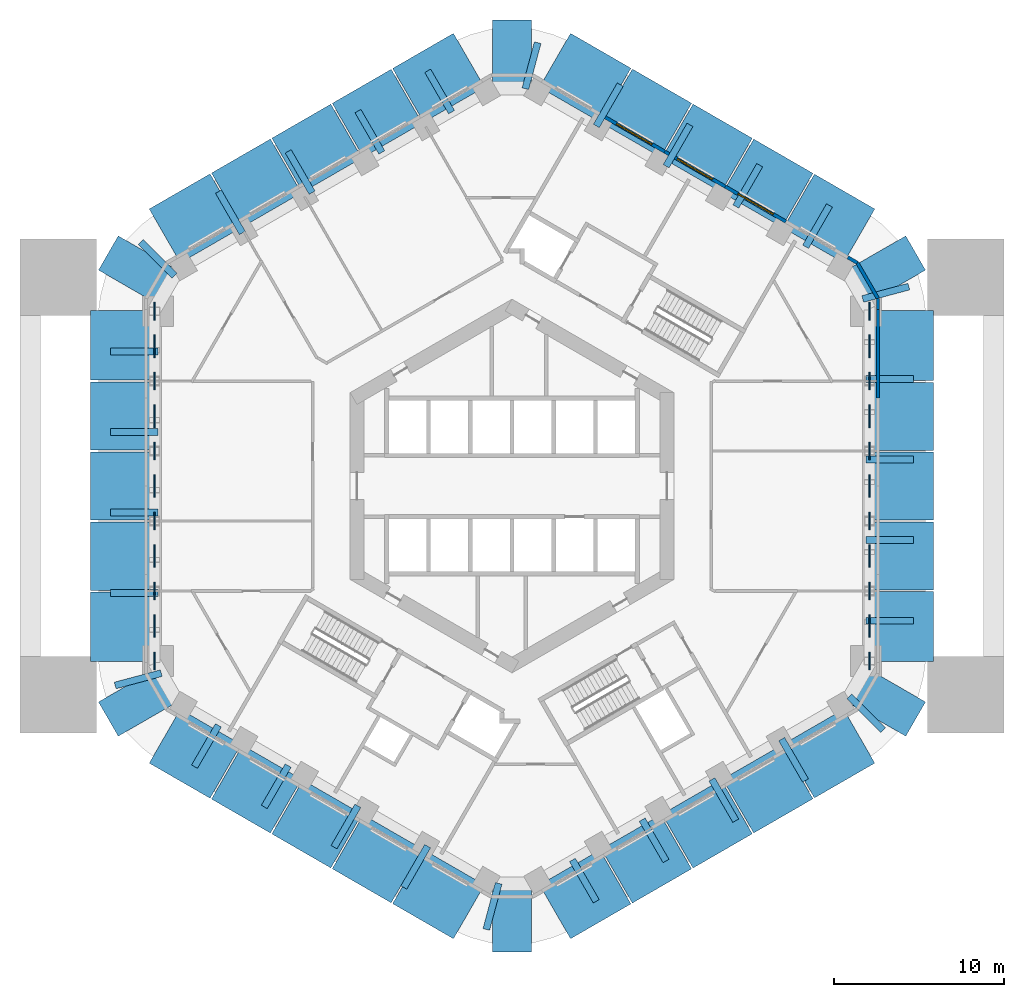
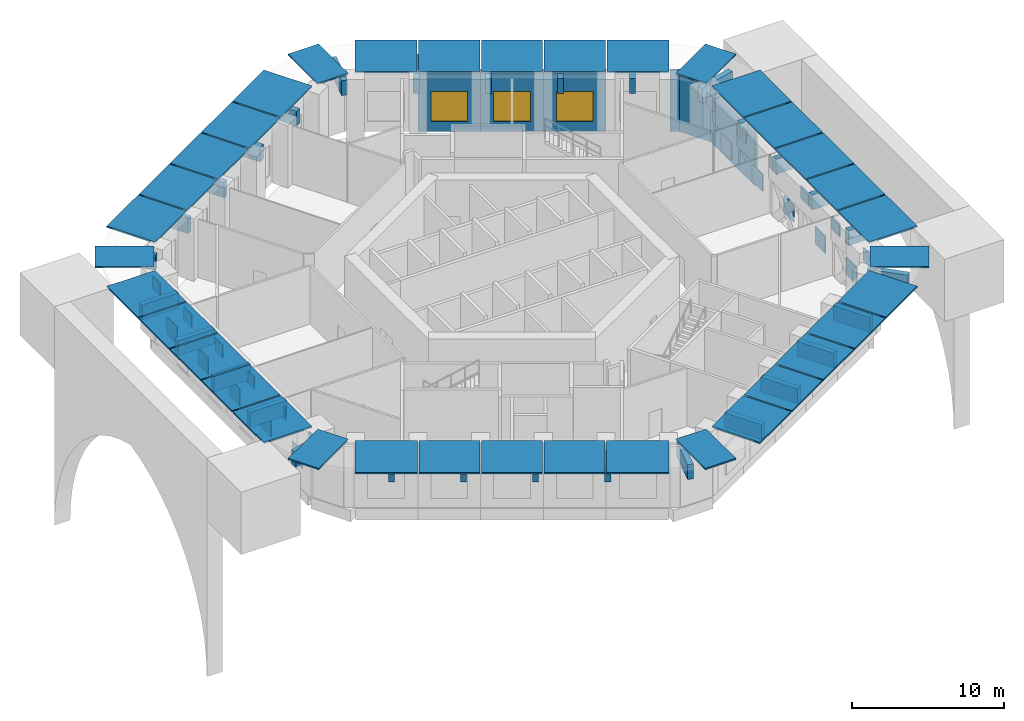
# One storey, part 6 of 10: 88 discrete accessories, 7 walls, 3 windows, 3 openings.
"""IFC4 building model written with IfcOpenShell, lengths in metres."""

import ifcopenshell
import ifcopenshell.guid

model = None  # the IFC model being written
_history = None  # IfcOwnerHistory: only IFC2X3 demands one
_inside = {}  # id of a spatial element -> (the spatial element, [elements in it])
_under = {}  # id of a project, library or spatial element -> (it, [spatial elements below it])
_declared = {}  # id of a project -> (the project, [libraries it declares])
_typed = {}  # id of a type object -> (the type object, [elements of that type])
_made_of = {}  # id of a material, layer set ... -> (it, [elements and type objects made of it])


def new_model(schema):
    """Start an empty IFC model of exactly this schema.

    Asked for "IFC4X3", IfcOpenShell would pick the latest addendum, in which some entities
    have other attributes; the version numbers below select the first issue.
    IFC2X3 requires an IfcOwnerHistory on every rooted entity: one is made here for all.
    """
    global model, _history
    if schema == "IFC4X3":
        model = ifcopenshell.file(schema_version=(4, 3, 0, 0))
    else:
        model = ifcopenshell.file(schema=schema)
    _inside.clear()
    _under.clear()
    _declared.clear()
    _typed.clear()
    _made_of.clear()
    _history = None
    if model.schema == "IFC2X3":
        org = make("IfcOrganization", Name="unknown")
        user = make(
            "IfcPersonAndOrganization",
            ThePerson=make("IfcPerson", FamilyName="unknown"),
            TheOrganization=org,
        )
        app = make(
            "IfcApplication",
            ApplicationDeveloper=org,
            Version="unknown",
            ApplicationFullName="unknown",
            ApplicationIdentifier="unknown",
        )
        _history = make(
            "IfcOwnerHistory",
            OwningUser=user,
            OwningApplication=app,
            ChangeAction="ADDED",
            CreationDate=0,
        )
    return model


def make(cls, **values):
    """One entity of the class cls with the attributes given. An attribute that is None is left unset."""
    return model.create_entity(
        cls, **{name: value for name, value in values.items() if value is not None}
    )


def rooted(cls, **values):
    """An entity with a GlobalId (a new one), such as an element, a storey or a relation."""
    return make(cls, GlobalId=ifcopenshell.guid.new(), OwnerHistory=_history, **values)


def si_unit(unit_type, name, prefix=None):
    """IfcSIUnit, for example si_unit("LENGTHUNIT", "METRE", prefix="MILLI")."""
    return make("IfcSIUnit", UnitType=unit_type, Prefix=prefix, Name=name)


def assignment(units):
    """IfcUnitAssignment: the units of a project."""
    return None if units is None else make("IfcUnitAssignment", Units=units)


def point(xyz):
    """IfcCartesianPoint."""
    return None if xyz is None else make("IfcCartesianPoint", Coordinates=xyz)


def direction(xyz):
    """IfcDirection."""
    return None if xyz is None else make("IfcDirection", DirectionRatios=xyz)


def frame(location, z_axis=None, x_axis=None):
    """IfcAxis2Placement3D, a coordinate frame: its origin and axes. An axis left out is left unset."""
    return make(
        "IfcAxis2Placement3D",
        Location=point(location),
        Axis=direction(z_axis),
        RefDirection=direction(x_axis),
    )


def frame_2d(location, x_axis=None):
    """IfcAxis2Placement2D, a coordinate frame in the plane: its origin and x axis."""
    return make(
        "IfcAxis2Placement2D", Location=point(location), RefDirection=direction(x_axis)
    )


def origin():
    """The frame at (0, 0, 0) with its axes left unset."""
    return frame((0.0, 0.0, 0.0))


def origin_2d():
    """The frame at (0, 0) in the plane with its x axis left unset."""
    return frame_2d((0.0, 0.0))


def place(relative_to, where):
    """IfcLocalPlacement: puts the frame where relative to a parent placement (None: the world)."""
    return make(
        "IfcLocalPlacement", PlacementRelTo=relative_to, RelativePlacement=where
    )


def context(
    kind, dimensions, precision=None, world=None, true_north=None, identifier=None
):
    """IfcGeometricRepresentationContext, for example the 3D "Model" context."""
    return make(
        "IfcGeometricRepresentationContext",
        ContextIdentifier=identifier,
        ContextType=kind,
        CoordinateSpaceDimension=dimensions,
        Precision=precision,
        WorldCoordinateSystem=world,
        TrueNorth=true_north,
    )


def subcontext(parent, identifier, kind, view, scale=None):
    """IfcGeometricRepresentationSubContext, for example "Body" below "Model"."""
    return make(
        "IfcGeometricRepresentationSubContext",
        ContextIdentifier=identifier,
        ContextType=kind,
        ParentContext=parent,
        TargetScale=scale,
        TargetView=view,
    )


def project(units=None, contexts=None):
    """IfcProject with its units and contexts."""
    return rooted(
        "IfcProject",
        Name="project",
        RepresentationContexts=contexts,
        UnitsInContext=assignment(units),
    )


def spatial(cls, under=None, at=None, **own):
    """A site, building, storey or space (cls), placed at a placement, below another one or the project."""
    s = rooted(cls, ObjectPlacement=at, **own)
    if under is not None:
        _under.setdefault(under.id(), (under, []))[1].append(s)
    return s


def profile(cls, at=None, kind="AREA", **sizes):
    """A parametric profile (cls). Its sizes go by their IFC names, for example OverallWidth=200.0."""
    return make(cls, ProfileType=kind, Position=at, **sizes)


def rectangle(**sizes):
    """IfcRectangleProfileDef."""
    return profile("IfcRectangleProfileDef", **sizes)


def extrude(swept, where, along, depth):
    """IfcExtrudedAreaSolid: the profile swept, set in the frame where, extruded along a direction by depth."""
    return make(
        "IfcExtrudedAreaSolid",
        SweptArea=swept,
        Position=where,
        ExtrudedDirection=direction(along),
        Depth=depth,
    )


def shape(context_of_items, identifier, shape_type, items):
    """IfcShapeRepresentation: the items that make up one representation, for example the "Body"."""
    return make(
        "IfcShapeRepresentation",
        ContextOfItems=context_of_items,
        RepresentationIdentifier=identifier,
        RepresentationType=shape_type,
        Items=items,
    )


def material(Name=None, Category=None):
    """IfcMaterial."""
    return make("IfcMaterial", Name=Name, Category=Category)


def layer(
    of_material, thickness, ventilated=None, Name=None, Category=None, Priority=None
):
    """IfcMaterialLayer: one layer of a wall or slab, of a material (None: an air gap)."""
    return make(
        "IfcMaterialLayer",
        Material=of_material,
        LayerThickness=thickness,
        IsVentilated=ventilated,
        Name=Name,
        Category=Category,
        Priority=Priority,
    )


def layer_set(layers, Name=None):
    """IfcMaterialLayerSet."""
    return make("IfcMaterialLayerSet", MaterialLayers=layers, LayerSetName=Name)


def made_of(thing, what):
    """Note that an element or type object is made of a material, layer set ...; save() writes the relation."""
    if what is not None:
        _made_of.setdefault(what.id(), (what, []))[1].append(thing)
    return thing


def type_object(cls, material=None, **own):
    """A type object (cls), such as IfcWallType, which elements share."""
    return made_of(rooted(cls, **own), material)


def element(
    cls,
    number,
    at=None,
    inside=None,
    cuts=None,
    type_object=None,
    material=None,
    context=None,
    identifier="Body",
    shape_type=None,
    held_by="IfcProductDefinitionShape",
    body=None,
    shapes=None,
    **own,
):
    """One element of the class cls, such as IfcWall. Its Tag is "e" and its number.

    at: its placement. inside: the storey or other place that contains it. cuts: it is an
    opening in that element (IfcRelVoidsElement). A single representation is given by context,
    identifier, shape_type and body (its items); several are given by shapes. held_by: the class
    of the entity that holds the representations. save() writes the other relations.
    """
    e = rooted(cls, Tag="e%d" % number, ObjectPlacement=at, **own)
    if body is not None:
        shapes = [shape(context, identifier, shape_type, body)]
    if shapes is not None:
        e.Representation = make(held_by, Representations=shapes)
    if inside is not None:
        _inside.setdefault(inside.id(), (inside, []))[1].append(e)
    if cuts is not None:
        rooted(
            "IfcRelVoidsElement", RelatingBuildingElement=cuts, RelatedOpeningElement=e
        )
    if type_object is not None:
        _typed.setdefault(type_object.id(), (type_object, []))[1].append(e)
    return made_of(e, material)


def fill(opening, filler):
    """IfcRelFillsElement: the door or window that sits in an opening."""
    return rooted(
        "IfcRelFillsElement",
        RelatingOpeningElement=opening,
        RelatedBuildingElement=filler,
    )


def aggregate(whole, parts):
    """IfcRelAggregates: a whole, such as a stair, and the parts it consists of."""
    return rooted("IfcRelAggregates", RelatingObject=whole, RelatedObjects=parts)


def save(model, path):
    """Write the relations noted so far, then the file.

    IfcRelAggregates (storeys below a building ...), IfcRelContainedInSpatialStructure (elements
    in a storey), IfcRelDefinesByType, IfcRelAssociatesMaterial and IfcRelDeclares: one each for
    every whole, place, type object, material and project.
    """
    for whole, parts in _under.values():
        aggregate(whole, parts)
    for where, things in _inside.values():
        rooted(
            "IfcRelContainedInSpatialStructure",
            RelatedElements=things,
            RelatingStructure=where,
        )
    for kind, things in _typed.values():
        rooted("IfcRelDefinesByType", RelatedObjects=things, RelatingType=kind)
    for what, things in _made_of.values():
        rooted("IfcRelAssociatesMaterial", RelatedObjects=things, RelatingMaterial=what)
    for by, libraries in _declared.values():
        rooted("IfcRelDeclares", RelatingContext=by, RelatedDefinitions=libraries)
    model.write(path)


model = new_model("IFC4")

# Units and contexts
model_context = context("Model", 3, precision=1e-05, world=origin(), true_north=direction((0.0, 1.0)))
body_context = subcontext(model_context, "Body", "Model", "MODEL_VIEW")
ifc_project = project(units=[si_unit("LENGTHUNIT", "METRE"), si_unit("AREAUNIT", "SQUARE_METRE"), si_unit("VOLUMEUNIT", "CUBIC_METRE"), si_unit("PLANEANGLEUNIT", "RADIAN"), si_unit("MASSUNIT", "GRAM", prefix="KILO")], contexts=[model_context])

# Site, building, storey
site_placement = place(None, origin())
site = spatial("IfcSite", under=ifc_project, at=site_placement, CompositionType="ELEMENT")
building_placement = place(site_placement, origin())
building = spatial("IfcBuilding", under=site, at=building_placement, Name="Ayvan Gate Tower", CompositionType="ELEMENT")
storey_placement = place(building_placement, frame((0.0, 0.0, 20.5)))
storey = spatial("IfcBuildingStorey", under=building, at=storey_placement, Name="L04", CompositionType="ELEMENT", Elevation=20.5)

# Walls
ifc_material_1 = material(Name="Pale metal cladding on insulated wall")
ifc_layer_1 = layer(ifc_material_1, 0.199951171875)
ifc_layer_set_1 = layer_set([ifc_layer_1], Name="Pale metal cladding on insulated wall")
wall_type = type_object("IfcWallType", Name="Louvred plant wall 200", PredefinedType="SOLIDWALL", material=ifc_layer_set_1)
wall_1_placement = place(storey_placement, frame((21.484619140625, 5.179931640625, 0.0), z_axis=(0.0, 0.0, 1.0), x_axis=(0.0, 1.0, 0.0)))
element("IfcWall", 1, at=wall_1_placement, inside=storey, type_object=wall_type, Name="EW:L04:F08:3", PredefinedType="SOLIDWALL", context=body_context, shape_type="SweptSolid", body=[
    extrude(rectangle(XDim=5.18017578125, YDim=0.199951171875, at=frame_2d((2.590087890625, 0.0))), origin(), (0.0, 0.0, 1.0), 4.8798828125),
])
wall_2_placement = place(storey_placement, frame((21.484619140625, 10.360107421875, 0.0), z_axis=(0.0, 0.0, 1.0), x_axis=(0.0, 1.0, 0.0)))
element("IfcWall", 2, at=wall_2_placement, inside=storey, type_object=wall_type, Name="EW:L04:C09:0", PredefinedType="SOLIDWALL", context=body_context, shape_type="SweptSolid", body=[
    extrude(rectangle(XDim=0.64990234375, YDim=0.199951171875, at=frame_2d((0.324951171875, 0.0))), origin(), (0.0, 0.0, 1.0), 4.8798828125),
])
wall_3_placement = place(storey_placement, frame((21.484619140625, 11.010009765625, 0.0), z_axis=(0.0, 0.0, 1.0), x_axis=(-0.499999616612, 0.866025625133, 0.0)))
element("IfcWall", 3, at=wall_3_placement, inside=storey, type_object=wall_type, Name="EW:L04:C09:1", PredefinedType="SOLIDWALL", context=body_context, shape_type="SweptSolid", body=[
    extrude(rectangle(XDim=2.41455078125, YDim=0.199951171875, at=frame_2d((1.207275390625, 0.0))), origin(), (0.0, 0.0, 1.0), 4.8798828125),
])
wall_4_placement = place(storey_placement, frame((20.27734375, 13.10107421875, 0.0), z_axis=(0.0, 0.0, 1.0), x_axis=(-0.865922902183, 0.50017749597, 0.0)))
element("IfcWall", 4, at=wall_4_placement, inside=storey, type_object=wall_type, Name="EW:L04:C09:2", PredefinedType="SOLIDWALL", context=body_context, shape_type="SweptSolid", body=[
    extrude(rectangle(XDim=0.650146484375, YDim=0.199951171875, at=frame_2d((0.3251953125, 0.0))), origin(), (0.0, 0.0, 1.0), 4.8798828125),
])

# Wall, opening, window
wall_5_placement = place(storey_placement, frame((16.077880859375, 15.525634765625, 0.0), z_axis=(0.0, 0.0, 1.0), x_axis=(-0.866029215606, 0.499993397673, 0.0)))
wall_5 = element("IfcWall", 5, at=wall_5_placement, inside=storey, type_object=wall_type, Name="EW:L04:F10:1", PredefinedType="SOLIDWALL", context=body_context, shape_type="SweptSolid", body=[
    extrude(rectangle(XDim=4.10791015625, YDim=0.199951171875, at=frame_2d((2.053955078125, 0.0))), origin(), (0.0, 0.0, 1.0), 4.8798828125),
])
opening_1_placement = place(wall_5_placement, frame((0.85400390625, 0.0, 0.800048828125)))
opening_1 = element("IfcOpeningElement", 6, at=opening_1_placement, cuts=wall_5, Name="Opening W-L", PredefinedType="OPENING", context=body_context, shape_type="SweptSolid", body=[
    extrude(rectangle(XDim=2.39990234375, YDim=2.39990234375, at=frame_2d((1.199951171875, 1.199951171875))), frame((0.0, 0.10986328125, 0.0), z_axis=(0.0, -1.0, 0.0), x_axis=(1.0, 0.0, 0.0)), (0.0, 0.0, 1.0), 0.219970703125),
])
ifc_material_2 = material(Name="Anodised aluminium louvre", Category="aluminium")
window_type = type_object("IfcWindowType", Name="Louvre intake W-L", PartitioningType="DOUBLE_PANEL_VERTICAL", PredefinedType="WINDOW", material=ifc_material_2)
window_1_placement = place(opening_1_placement, origin())
window_1 = element("IfcWindow", 7, at=window_1_placement, inside=storey, type_object=window_type, Name="Louvre intake L04.10.1", OverallHeight=2.39990234375, OverallWidth=2.39990234375, PartitioningType="SINGLE_PANEL", PredefinedType="WINDOW", context=body_context, shape_type="SweptSolid", body=[
    extrude(rectangle(XDim=2.39990234375, YDim=2.39990234375, at=frame_2d((1.199951171875, 1.199951171875))), frame((0.0, 0.030029296875, 0.0), z_axis=(0.0, -1.0, 0.0), x_axis=(1.0, 0.0, 0.0)), (0.0, 0.0, 1.0), 0.06005859375),
])
fill(opening_1, window_1)

wall_6_placement = place(storey_placement, frame((12.520263671875, 17.57958984375, 0.0), z_axis=(0.0, 0.0, 1.0), x_axis=(-0.866021252249, 0.500007190601, 0.0)))
wall_6 = element("IfcWall", 8, at=wall_6_placement, inside=storey, type_object=wall_type, Name="EW:L04:F10:2", PredefinedType="SOLIDWALL", context=body_context, shape_type="SweptSolid", body=[
    extrude(rectangle(XDim=4.10693359375, YDim=0.199951171875, at=frame_2d((2.053466796875, 0.0))), origin(), (0.0, 0.0, 1.0), 4.8798828125),
])
opening_2_placement = place(wall_6_placement, frame((0.853515625, 0.0, 0.800048828125)))
opening_2 = element("IfcOpeningElement", 9, at=opening_2_placement, cuts=wall_6, Name="Opening W-L", PredefinedType="OPENING", context=body_context, shape_type="SweptSolid", body=[
    extrude(rectangle(XDim=2.39990234375, YDim=2.39990234375, at=frame_2d((1.199951171875, 1.199951171875))), frame((0.0, 0.10986328125, 0.0), z_axis=(0.0, -1.0, 0.0), x_axis=(1.0, 0.0, 0.0)), (0.0, 0.0, 1.0), 0.219970703125),
])
window_2_placement = place(opening_2_placement, origin())
window_2 = element("IfcWindow", 10, at=window_2_placement, inside=storey, type_object=window_type, Name="Louvre intake L04.10.2", OverallHeight=2.39990234375, OverallWidth=2.39990234375, PartitioningType="SINGLE_PANEL", PredefinedType="WINDOW", context=body_context, shape_type="SweptSolid", body=[
    extrude(rectangle(XDim=2.39990234375, YDim=2.39990234375, at=frame_2d((1.199951171875, 1.199951171875))), frame((0.0, 0.030029296875, 0.0), z_axis=(0.0, -1.0, 0.0), x_axis=(1.0, 0.0, 0.0)), (0.0, 0.0, 1.0), 0.06005859375),
])
fill(opening_2, window_2)

wall_7_placement = place(storey_placement, frame((8.963623046875, 19.633056640625, 0.0), z_axis=(0.0, 0.0, 1.0), x_axis=(-0.866010373586, 0.500026032164, 0.0)))
wall_7 = element("IfcWall", 11, at=wall_7_placement, inside=storey, type_object=wall_type, Name="EW:L04:F10:3", PredefinedType="SOLIDWALL", context=body_context, shape_type="SweptSolid", body=[
    extrude(rectangle(XDim=4.107177734375, YDim=0.199951171875, at=frame_2d((2.0537109375, 0.0))), origin(), (0.0, 0.0, 1.0), 4.8798828125),
])
opening_3_placement = place(wall_7_placement, frame((0.853515625, 0.0, 0.800048828125)))
opening_3 = element("IfcOpeningElement", 12, at=opening_3_placement, cuts=wall_7, Name="Opening W-L", PredefinedType="OPENING", context=body_context, shape_type="SweptSolid", body=[
    extrude(rectangle(XDim=2.39990234375, YDim=2.39990234375, at=frame_2d((1.199951171875, 1.199951171875))), frame((0.0, 0.10986328125, 0.0), z_axis=(0.0, -1.0, 0.0), x_axis=(1.0, 0.0, 0.0)), (0.0, 0.0, 1.0), 0.219970703125),
])
window_3_placement = place(opening_3_placement, origin())
window_3 = element("IfcWindow", 13, at=window_3_placement, inside=storey, type_object=window_type, Name="Louvre intake L04.10.3", OverallHeight=2.39990234375, OverallWidth=2.39990234375, PartitioningType="SINGLE_PANEL", PredefinedType="WINDOW", context=body_context, shape_type="SweptSolid", body=[
    extrude(rectangle(XDim=2.39990234375, YDim=2.39990234375, at=frame_2d((1.199951171875, 1.199951171875))), frame((0.0, 0.030029296875, 0.0), z_axis=(0.0, -1.0, 0.0), x_axis=(1.0, 0.0, 0.0)), (0.0, 0.0, 1.0), 0.06005859375),
])
fill(opening_3, window_3)

# Discrete accessories
ifc_material_3 = material(Name="Stainless steel 316", Category="steel")
ifc_layer_2 = layer(ifc_material_3, 0.39990234375)
ifc_layer_set_2 = layer_set([ifc_layer_2], Name="Stainless steel 316")
discrete_accessory_type_1 = type_object("IfcDiscreteAccessoryType", Name="Cornice bracket", PredefinedType="BRACKET", material=ifc_layer_set_2)
for number, where, z_axis, x_axis, name in (
    (14, (21.945068359375, 11.3466796875, 3.4501953125), (0.0, 0.0, 1.0), (0.965925826289, 0.258819045103, 0.0), "Cornice bracket 1"),
    (15, (22.1845703125, 6.28125, 3.4501953125), (0.0, 0.0, 1.0), (1.0, 0.0, 0.0), "Cornice bracket 2"),
    (16, (22.1845703125, 1.552978515625, 3.4501953125), (0.0, 0.0, 1.0), (1.0, 0.0, 0.0), "Cornice bracket 3"),
    (17, (22.1845703125, -3.175537109375, 3.4501953125), (0.0, 0.0, 1.0), (1.0, 0.0, 0.0), "Cornice bracket 4"),
    (18, (22.1845703125, -7.90380859375, 3.4501953125), (0.0, 0.0, 1.0), (1.0, 0.0, 0.0), "Cornice bracket 5"),
    (19, (20.799072265625, -13.33154296875, 3.4501953125), (0.0, 0.0, 1.0), (0.707106781187, -0.707106781187, 0.0), "Cornice bracket 6"),
    (20, (16.531982421875, -16.07177734375, 3.4501953125), (0.0, 0.0, 1.0), (0.5, -0.866025403784, 0.0), "Cornice bracket 7"),
    (21, (12.437255859375, -18.43603515625, 3.4501953125), (0.0, 0.0, 1.0), (0.5, -0.866025403784, 0.0), "Cornice bracket 8"),
    (22, (8.34228515625, -20.800048828125, 3.4501953125), (0.0, 0.0, 1.0), (0.5, -0.866025403784, 0.0), "Cornice bracket 9"),
    (23, (4.247314453125, -23.164306640625, 3.4501953125), (0.0, 0.0, 1.0), (0.5, -0.866025403784, 0.0), "Cornice bracket 10"),
    (24, (-1.14599609375, -24.67822265625, 3.4501953125), (0.0, 0.0, 1.0), (-0.258819045103, -0.965925826289, 0.0), "Cornice bracket 11"),
    (25, (-5.652587890625, -22.35302734375, 3.4501953125), (0.0, 0.0, 1.0), (-0.5, -0.866025403784, 0.0), "Cornice bracket 12"),
    (26, (-9.74755859375, -19.989013671875, 3.4501953125), (0.0, 0.0, 1.0), (-0.5, -0.866025403784, 0.0), "Cornice bracket 13"),
    (27, (-13.84228515625, -17.624755859375, 3.4501953125), (0.0, 0.0, 1.0), (-0.5, -0.866025403784, 0.0), "Cornice bracket 14"),
    (28, (-17.937255859375, -15.260498046875, 3.4501953125), (0.0, 0.0, 1.0), (-0.5, -0.866025403784, 0.0), "Cornice bracket 15"),
    (29, (-21.945068359375, -11.3466796875, 3.4501953125), (0.0, 0.0, 1.0), (-0.965925826289, -0.258819045103, 0.0), "Cornice bracket 16"),
    (30, (-22.1845703125, -6.28125, 3.4501953125), (0.0, 0.0, 1.0), (-1.0, 0.0, 0.0), "Cornice bracket 17"),
    (31, (-22.1845703125, -1.552978515625, 3.4501953125), (0.0, 0.0, 1.0), (-1.0, 0.0, 0.0), "Cornice bracket 18"),
    (32, (-22.1845703125, 3.175537109375, 3.4501953125), (0.0, 0.0, 1.0), (-1.0, 0.0, 0.0), "Cornice bracket 19"),
    (33, (-22.1845703125, 7.90380859375, 3.4501953125), (0.0, 0.0, 1.0), (-1.0, 0.0, 0.0), "Cornice bracket 20"),
    (34, (-20.799072265625, 13.33154296875, 3.4501953125), (0.0, 0.0, 1.0), (-0.707106781187, 0.707106781187, 0.0), "Cornice bracket 21"),
    (35, (-16.531982421875, 16.07177734375, 3.4501953125), (0.0, 0.0, 1.0), (-0.5, 0.866025403784, 0.0), "Cornice bracket 22"),
    (36, (-12.437255859375, 18.43603515625, 3.4501953125), (0.0, 0.0, 1.0), (-0.5, 0.866025403784, 0.0), "Cornice bracket 23"),
    (37, (-8.34228515625, 20.800048828125, 3.4501953125), (0.0, 0.0, 1.0), (-0.5, 0.866025403784, 0.0), "Cornice bracket 24"),
    (38, (-4.247314453125, 23.164306640625, 3.4501953125), (0.0, 0.0, 1.0), (-0.5, 0.866025403784, 0.0), "Cornice bracket 25"),
    (39, (1.14599609375, 24.67822265625, 3.4501953125), (0.0, 0.0, 1.0), (0.258819045103, 0.965925826289, 0.0), "Cornice bracket 26"),
    (40, (5.652587890625, 22.35302734375, 3.4501953125), (0.0, 0.0, 1.0), (0.5, 0.866025403784, 0.0), "Cornice bracket 27"),
    (41, (9.74755859375, 19.989013671875, 3.4501953125), (0.0, 0.0, 1.0), (0.5, 0.866025403784, 0.0), "Cornice bracket 28"),
    (42, (13.84228515625, 17.624755859375, 3.4501953125), (0.0, 0.0, 1.0), (0.5, 0.866025403784, 0.0), "Cornice bracket 29"),
    (43, (17.937255859375, 15.260498046875, 3.4501953125), (0.0, 0.0, 1.0), (0.5, 0.866025403784, 0.0), "Cornice bracket 30"),
):
    element("IfcDiscreteAccessory", number, at=place(storey_placement, frame(where, z_axis=z_axis, x_axis=x_axis)), inside=storey, type_object=discrete_accessory_type_1, Name=name, PredefinedType="BRACKET", context=body_context, shape_type="SweptSolid", body=[
        extrude(rectangle(XDim=2.800048828125, YDim=0.39990234375, at=origin_2d()), origin(), (0.0, 0.0, 1.0), 1.199951171875),
    ])
ifc_layer_3 = layer(ifc_material_3, 0.1201171875)
ifc_layer_set_3 = layer_set([ifc_layer_3], Name="Stainless steel 316")
discrete_accessory_type_2 = type_object("IfcDiscreteAccessoryType", Name="Fin carrier bracket", PredefinedType="BRACKET", material=ifc_layer_set_3)
discrete_accessory_1_placement = place(storey_placement, frame((-22.90966796875, -8.265380859375, 4.8798828125), z_axis=(0.0, 0.0, 1.0), x_axis=(0.0, -1.0, 0.0)))
element("IfcDiscreteAccessory", 44, at=discrete_accessory_1_placement, inside=storey, type_object=discrete_accessory_type_2, Name="Fin carrier 1", PredefinedType="BRACKET", context=body_context, shape_type="SweptSolid", body=[
    extrude(rectangle(XDim=4.089111328125, YDim=3.64990234375, at=origin_2d()), origin(), (0.0, 0.0, 1.0), 0.1201171875),
])
for number, where, z_axis, x_axis, name in (
    (45, (-22.90966796875, -4.114013671875, 4.8798828125), (0.0, 0.0, 1.0), (0.0, -1.0, 0.0), "Fin carrier 3"),
    (46, (-22.90966796875, 0.0, 4.8798828125), (0.0, 0.0, 1.0), (0.0, -1.0, 0.0), "Fin carrier 5"),
    (47, (-22.90966796875, 4.114013671875, 4.8798828125), (0.0, 0.0, 1.0), (0.0, -1.0, 0.0), "Fin carrier 7"),
):
    element("IfcDiscreteAccessory", number, at=place(storey_placement, frame(where, z_axis=z_axis, x_axis=x_axis)), inside=storey, type_object=discrete_accessory_type_2, Name=name, PredefinedType="BRACKET", context=body_context, shape_type="SweptSolid", body=[
        extrude(rectangle(XDim=4.013916015625, YDim=3.64990234375, at=origin_2d()), origin(), (0.0, 0.0, 1.0), 0.1201171875),
    ])
discrete_accessory_2_placement = place(storey_placement, frame((-22.90966796875, 8.265625, 4.8798828125), z_axis=(0.0, 0.0, 1.0), x_axis=(0.0, -1.0, 0.0)))
element("IfcDiscreteAccessory", 48, at=discrete_accessory_2_placement, inside=storey, type_object=discrete_accessory_type_2, Name="Fin carrier 9", PredefinedType="BRACKET", context=body_context, shape_type="SweptSolid", body=[
    extrude(rectangle(XDim=4.089111328125, YDim=3.64990234375, at=origin_2d()), origin(), (0.0, 0.0, 1.0), 0.1201171875),
])
for number, where, z_axis, x_axis, name in (
    (49, (-22.014892578125, -12.71044921875, 4.8798828125), (0.0, 0.0, 1.0), (0.5, -0.866025403784, 0.0), "Fin carrier 11"),
    (50, (-22.014892578125, 12.71044921875, 4.8798828125), (0.0, 0.0, 1.0), (-0.5, -0.866025403784, 0.0), "Fin carrier 32"),
):
    element("IfcDiscreteAccessory", number, at=place(storey_placement, frame(where, z_axis=z_axis, x_axis=x_axis)), inside=storey, type_object=discrete_accessory_type_2, Name=name, PredefinedType="BRACKET", context=body_context, shape_type="SweptSolid", body=[
        extrude(rectangle(XDim=2.314453125, YDim=3.881103515625, at=origin_2d()), origin(), (0.0, 0.0, 1.0), 0.1201171875),
    ])
for number, where, z_axis, x_axis, name in (
    (51, (-18.599609375, -15.71533203125, 4.8798828125), (0.0, 0.0, 1.0), (0.866025403784, -0.5, 0.0), "Fin carrier 124"),
    (52, (-18.599609375, 15.71533203125, 4.8798828125), (0.0, 0.0, 1.0), (-0.866025403784, -0.5, 0.0), "Fin carrier 131"),
):
    element("IfcDiscreteAccessory", number, at=place(storey_placement, frame(where, z_axis=z_axis, x_axis=x_axis)), inside=storey, type_object=discrete_accessory_type_2, Name=name, PredefinedType="BRACKET", context=body_context, shape_type="SweptSolid", body=[
        extrude(rectangle(XDim=4.1201171875, YDim=3.64990234375, at=origin_2d()), origin(), (0.0, 0.0, 1.0), 0.1201171875),
    ])
for number, where, z_axis, x_axis, name in (
    (53, (-15.0, -17.79345703125, 4.8798828125), (0.0, 0.0, 1.0), (0.866025403784, -0.5, 0.0), "Fin carrier 249"),
    (54, (-14.999755859375, 17.793701171875, 4.8798828125), (0.0, 0.0, 1.0), (-0.866025403784, -0.5, 0.0), "Fin carrier 252"),
):
    element("IfcDiscreteAccessory", number, at=place(storey_placement, frame(where, z_axis=z_axis, x_axis=x_axis)), inside=storey, type_object=discrete_accessory_type_2, Name=name, PredefinedType="BRACKET", context=body_context, shape_type="SweptSolid", body=[
        extrude(rectangle(XDim=3.992919921875, YDim=3.64990234375, at=origin_2d()), origin(), (0.0, 0.0, 1.0), 0.1201171875),
    ])
for number, where, z_axis, x_axis, name in (
    (55, (-11.454833984375, -19.84033203125, 4.8798828125), (0.0, 0.0, 1.0), (0.866025403784, -0.5, 0.0), "Fin carrier 315"),
    (56, (-11.454833984375, 19.84033203125, 4.8798828125), (0.0, 0.0, 1.0), (-0.866025403784, -0.5, 0.0), "Fin carrier 321"),
):
    element("IfcDiscreteAccessory", number, at=place(storey_placement, frame(where, z_axis=z_axis, x_axis=x_axis)), inside=storey, type_object=discrete_accessory_type_2, Name=name, PredefinedType="BRACKET", context=body_context, shape_type="SweptSolid", body=[
        extrude(rectangle(XDim=3.993896484375, YDim=3.64990234375, at=origin_2d()), origin(), (0.0, 0.0, 1.0), 0.1201171875),
    ])
for number, where, z_axis, x_axis, name in (
    (57, (-7.909912109375, -21.886962890625, 4.8798828125), (0.0, 0.0, 1.0), (0.866025403784, -0.5, 0.0), "Fin carrier 387"),
    (58, (-7.90966796875, 21.88720703125, 4.8798828125), (0.0, 0.0, 1.0), (-0.866025403784, -0.5, 0.0), "Fin carrier 408"),
):
    element("IfcDiscreteAccessory", number, at=place(storey_placement, frame(where, z_axis=z_axis, x_axis=x_axis)), inside=storey, type_object=discrete_accessory_type_2, Name=name, PredefinedType="BRACKET", context=body_context, shape_type="SweptSolid", body=[
        extrude(rectangle(XDim=3.992919921875, YDim=3.64990234375, at=origin_2d()), origin(), (0.0, 0.0, 1.0), 0.1201171875),
    ])
for number, where, z_axis, x_axis, name in (
    (59, (-4.31005859375, -23.96533203125, 4.8798828125), (0.0, 0.0, 1.0), (0.866025403784, -0.5, 0.0), "Fin carrier 463"),
    (60, (-4.31005859375, 23.96533203125, 4.8798828125), (0.0, 0.0, 1.0), (-0.866025403784, -0.5, 0.0), "Fin carrier 479"),
):
    element("IfcDiscreteAccessory", number, at=place(storey_placement, frame(where, z_axis=z_axis, x_axis=x_axis)), inside=storey, type_object=discrete_accessory_type_2, Name=name, PredefinedType="BRACKET", context=body_context, shape_type="SweptSolid", body=[
        extrude(rectangle(XDim=4.1201171875, YDim=3.64990234375, at=origin_2d()), origin(), (0.0, 0.0, 1.0), 0.1201171875),
    ])
for number, where, z_axis, x_axis, name in (
    (61, (0.0, -25.420654296875, 4.8798828125), (0.0, 0.0, 1.0), (1.0, 0.0, 0.0), "Fin carrier 525"),
    (62, (0.0, 25.420654296875, 4.8798828125), (0.0, 0.0, 1.0), (-1.0, 0.0, 0.0), "Fin carrier 539"),
):
    element("IfcDiscreteAccessory", number, at=place(storey_placement, frame(where, z_axis=z_axis, x_axis=x_axis)), inside=storey, type_object=discrete_accessory_type_2, Name=name, PredefinedType="BRACKET", context=body_context, shape_type="SweptSolid", body=[
        extrude(rectangle(XDim=2.314453125, YDim=3.881103515625, at=origin_2d()), origin(), (0.0, 0.0, 1.0), 0.1201171875),
    ])
for number, where, z_axis, x_axis, name in (
    (63, (4.296630859375, -23.97314453125, 4.8798828125), (0.0, 0.0, 1.0), (0.866025403784, 0.5, 0.0), "Fin carrier 589"),
    (64, (4.296630859375, 23.97314453125, 4.8798828125), (0.0, 0.0, 1.0), (-0.866025403784, 0.5, 0.0), "Fin carrier 598"),
):
    element("IfcDiscreteAccessory", number, at=place(storey_placement, frame(where, z_axis=z_axis, x_axis=x_axis)), inside=storey, type_object=discrete_accessory_type_2, Name=name, PredefinedType="BRACKET", context=body_context, shape_type="SweptSolid", body=[
        extrude(rectangle(XDim=4.089111328125, YDim=3.64990234375, at=origin_2d()), origin(), (0.0, 0.0, 1.0), 0.1201171875),
    ])
for number, where, z_axis, x_axis, name in (
    (65, (7.891845703125, -21.8974609375, 4.8798828125), (0.0, 0.0, 1.0), (0.866025403784, 0.5, 0.0), "Fin carrier 651"),
    (66, (7.89208984375, 21.897216796875, 4.8798828125), (0.0, 0.0, 1.0), (-0.866025403784, 0.5, 0.0), "Fin carrier 657"),
    (67, (11.454833984375, -19.84033203125, 4.8798828125), (0.0, 0.0, 1.0), (0.866025403784, 0.5, 0.0), "Fin carrier 711"),
    (68, (11.454833984375, 19.84033203125, 4.8798828125), (0.0, 0.0, 1.0), (-0.866025403784, 0.5, 0.0), "Fin carrier 718"),
    (69, (15.017578125, -17.783447265625, 4.8798828125), (0.0, 0.0, 1.0), (0.866025403784, 0.5, 0.0), "Fin carrier 777"),
    (70, (15.017822265625, 17.783203125, 4.8798828125), (0.0, 0.0, 1.0), (-0.866025403784, 0.5, 0.0), "Fin carrier 783"),
):
    element("IfcDiscreteAccessory", number, at=place(storey_placement, frame(where, z_axis=z_axis, x_axis=x_axis)), inside=storey, type_object=discrete_accessory_type_2, Name=name, PredefinedType="BRACKET", context=body_context, shape_type="SweptSolid", body=[
        extrude(rectangle(XDim=4.013916015625, YDim=3.64990234375, at=origin_2d()), origin(), (0.0, 0.0, 1.0), 0.1201171875),
    ])
for number, where, z_axis, x_axis, name in (
    (71, (18.613037109375, -15.70751953125, 4.8798828125), (0.0, 0.0, 1.0), (0.866025403784, 0.5, 0.0), "Fin carrier 890"),
    (72, (18.613037109375, 15.70751953125, 4.8798828125), (0.0, 0.0, 1.0), (-0.866025403784, 0.5, 0.0), "Fin carrier 910"),
):
    element("IfcDiscreteAccessory", number, at=place(storey_placement, frame(where, z_axis=z_axis, x_axis=x_axis)), inside=storey, type_object=discrete_accessory_type_2, Name=name, PredefinedType="BRACKET", context=body_context, shape_type="SweptSolid", body=[
        extrude(rectangle(XDim=4.089111328125, YDim=3.64990234375, at=origin_2d()), origin(), (0.0, 0.0, 1.0), 0.1201171875),
    ])
for number, where, z_axis, x_axis, name in (
    (73, (22.014892578125, -12.71044921875, 4.8798828125), (0.0, 0.0, 1.0), (0.5, 0.866025403784, 0.0), "Fin carrier 989"),
    (74, (22.014892578125, 12.71044921875, 4.8798828125), (0.0, 0.0, 1.0), (-0.5, 0.866025403784, 0.0), "Fin carrier 997"),
):
    element("IfcDiscreteAccessory", number, at=place(storey_placement, frame(where, z_axis=z_axis, x_axis=x_axis)), inside=storey, type_object=discrete_accessory_type_2, Name=name, PredefinedType="BRACKET", context=body_context, shape_type="SweptSolid", body=[
        extrude(rectangle(XDim=2.314453125, YDim=3.881103515625, at=origin_2d()), origin(), (0.0, 0.0, 1.0), 0.1201171875),
    ])
discrete_accessory_3_placement = place(storey_placement, frame((22.90966796875, -8.25, 4.8798828125), z_axis=(0.0, 0.0, 1.0), x_axis=(0.0, 1.0, 0.0)))
element("IfcDiscreteAccessory", 75, at=discrete_accessory_3_placement, inside=storey, type_object=discrete_accessory_type_2, Name="Fin carrier 999", PredefinedType="BRACKET", context=body_context, shape_type="SweptSolid", body=[
    extrude(rectangle(XDim=4.1201171875, YDim=3.64990234375, at=origin_2d()), origin(), (0.0, 0.0, 1.0), 0.1201171875),
])
discrete_accessory_4_placement = place(storey_placement, frame((22.90966796875, -4.093505859375, 4.8798828125), z_axis=(0.0, 0.0, 1.0), x_axis=(0.0, 1.0, 0.0)))
element("IfcDiscreteAccessory", 76, at=discrete_accessory_4_placement, inside=storey, type_object=discrete_accessory_type_2, Name="Fin carrier 1005", PredefinedType="BRACKET", context=body_context, shape_type="SweptSolid", body=[
    extrude(rectangle(XDim=3.992919921875, YDim=3.64990234375, at=origin_2d()), origin(), (0.0, 0.0, 1.0), 0.1201171875),
])
discrete_accessory_5_placement = place(storey_placement, frame((22.90966796875, 0.0, 4.8798828125), z_axis=(0.0, 0.0, 1.0), x_axis=(0.0, 1.0, 0.0)))
element("IfcDiscreteAccessory", 77, at=discrete_accessory_5_placement, inside=storey, type_object=discrete_accessory_type_2, Name="Fin carrier 1011", PredefinedType="BRACKET", context=body_context, shape_type="SweptSolid", body=[
    extrude(rectangle(XDim=3.993896484375, YDim=3.64990234375, at=origin_2d()), origin(), (0.0, 0.0, 1.0), 0.1201171875),
])
discrete_accessory_6_placement = place(storey_placement, frame((22.90966796875, 4.093505859375, 4.8798828125), z_axis=(0.0, 0.0, 1.0), x_axis=(0.0, 1.0, 0.0)))
element("IfcDiscreteAccessory", 78, at=discrete_accessory_6_placement, inside=storey, type_object=discrete_accessory_type_2, Name="Fin carrier 1018", PredefinedType="BRACKET", context=body_context, shape_type="SweptSolid", body=[
    extrude(rectangle(XDim=3.992919921875, YDim=3.64990234375, at=origin_2d()), origin(), (0.0, 0.0, 1.0), 0.1201171875),
])
discrete_accessory_7_placement = place(storey_placement, frame((22.90966796875, 8.25, 4.8798828125), z_axis=(0.0, 0.0, 1.0), x_axis=(0.0, 1.0, 0.0)))
element("IfcDiscreteAccessory", 79, at=discrete_accessory_7_placement, inside=storey, type_object=discrete_accessory_type_2, Name="Fin carrier 1025", PredefinedType="BRACKET", context=body_context, shape_type="SweptSolid", body=[
    extrude(rectangle(XDim=4.1201171875, YDim=3.64990234375, at=origin_2d()), origin(), (0.0, 0.0, 1.0), 0.1201171875),
])
ifc_material_4 = material(Name="Steel S460ML", Category="steel")
ifc_layer_4 = layer(ifc_material_4, 0.070068359375)
ifc_layer_set_4 = layer_set([ifc_layer_4], Name="Steel S460ML")
discrete_accessory_type_3 = type_object("IfcDiscreteAccessoryType", Name="Gusset plate 70 mm", PredefinedType="BRACKET", material=ifc_layer_set_4)
for number, where, z_axis, x_axis, name in (
    (80, (20.984619140625, -6.160888671875, 3.22998046875), (0.0, 0.0, 1.0), (0.0, 1.0, 0.0), "Gusset plate TT-E-DA-1"),
    (81, (20.984619140625, -2.0537109375, 3.22998046875), (0.0, 0.0, 1.0), (0.0, 1.0, 0.0), "Gusset plate TT-E-DA-2"),
    (82, (20.984619140625, 2.0537109375, 3.22998046875), (0.0, 0.0, 1.0), (0.0, 1.0, 0.0), "Gusset plate TT-E-DA-3"),
    (83, (20.984619140625, 6.160888671875, 3.22998046875), (0.0, 0.0, 1.0), (0.0, 1.0, 0.0), "Gusset plate TT-E-DA-4"),
    (84, (20.984619140625, 10.267822265625, 3.22998046875), (0.0, 0.0, 1.0), (0.0, 1.0, 0.0), "Gusset plate TT-E-DA-5"),
):
    element("IfcDiscreteAccessory", number, at=place(storey_placement, frame(where, z_axis=z_axis, x_axis=x_axis)), inside=storey, type_object=discrete_accessory_type_3, Name=name, PredefinedType="BRACKET", context=body_context, shape_type="SweptSolid", body=[
        extrude(rectangle(XDim=1.0400390625, YDim=0.070068359375, at=origin_2d()), origin(), (0.0, 0.0, 1.0), 1.0400390625),
    ])
for number, where, z_axis, x_axis, name in (
    (85, (20.984619140625, -8.21435546875, 0.760498046875), (0.0, 0.0, 1.0), (0.0, 1.0, 0.0), "Gusset plate TT-E-DB-1"),
    (86, (20.984619140625, -4.107177734375, 0.760498046875), (0.0, 0.0, 1.0), (0.0, 1.0, 0.0), "Gusset plate TT-E-DB-2"),
    (87, (20.984619140625, 0.0, 0.760498046875), (0.0, 0.0, 1.0), (0.0, 1.0, 0.0), "Gusset plate TT-E-DB-3"),
    (88, (20.984619140625, 4.107177734375, 0.760498046875), (0.0, 0.0, 1.0), (0.0, 1.0, 0.0), "Gusset plate TT-E-DB-4"),
    (89, (20.984619140625, 8.21435546875, 0.760498046875), (0.0, 0.0, 1.0), (0.0, 1.0, 0.0), "Gusset plate TT-E-DB-5"),
):
    element("IfcDiscreteAccessory", number, at=place(storey_placement, frame(where, z_axis=z_axis, x_axis=x_axis)), inside=storey, type_object=discrete_accessory_type_3, Name=name, PredefinedType="BRACKET", context=body_context, shape_type="SweptSolid", body=[
        extrude(rectangle(XDim=1.342529296875, YDim=0.070068359375, at=origin_2d()), origin(), (0.0, 0.0, 1.0), 1.37890625),
    ])
for number, where, z_axis, x_axis, name in (
    (90, (20.984619140625, -10.267822265625, 3.22998046875), (0.0, 0.0, 1.0), (0.0, 1.0, 0.0), "Gusset plate TT-E-DC-1"),
    (91, (-20.984619140625, 6.160888671875, 3.22998046875), (0.0, 0.0, 1.0), (0.0, 1.0, 0.0), "Gusset plate TT-W-DA-1"),
    (92, (-20.984619140625, 2.0537109375, 3.22998046875), (0.0, 0.0, 1.0), (0.0, 1.0, 0.0), "Gusset plate TT-W-DA-2"),
    (93, (-20.984619140625, -2.0537109375, 3.22998046875), (0.0, 0.0, 1.0), (0.0, 1.0, 0.0), "Gusset plate TT-W-DA-3"),
    (94, (-20.984619140625, -6.160888671875, 3.22998046875), (0.0, 0.0, 1.0), (0.0, 1.0, 0.0), "Gusset plate TT-W-DA-4"),
    (95, (-20.984619140625, -10.267822265625, 3.22998046875), (0.0, 0.0, 1.0), (0.0, 1.0, 0.0), "Gusset plate TT-W-DA-5"),
):
    element("IfcDiscreteAccessory", number, at=place(storey_placement, frame(where, z_axis=z_axis, x_axis=x_axis)), inside=storey, type_object=discrete_accessory_type_3, Name=name, PredefinedType="BRACKET", context=body_context, shape_type="SweptSolid", body=[
        extrude(rectangle(XDim=1.0400390625, YDim=0.070068359375, at=origin_2d()), origin(), (0.0, 0.0, 1.0), 1.0400390625),
    ])
for number, where, z_axis, x_axis, name in (
    (96, (-20.984619140625, 8.21435546875, 0.760498046875), (0.0, 0.0, 1.0), (0.0, 1.0, 0.0), "Gusset plate TT-W-DB-1"),
    (97, (-20.984619140625, 4.107177734375, 0.760498046875), (0.0, 0.0, 1.0), (0.0, 1.0, 0.0), "Gusset plate TT-W-DB-2"),
    (98, (-20.984619140625, 0.0, 0.760498046875), (0.0, 0.0, 1.0), (0.0, 1.0, 0.0), "Gusset plate TT-W-DB-3"),
    (99, (-20.984619140625, -4.107177734375, 0.760498046875), (0.0, 0.0, 1.0), (0.0, 1.0, 0.0), "Gusset plate TT-W-DB-4"),
    (100, (-20.984619140625, -8.21435546875, 0.760498046875), (0.0, 0.0, 1.0), (0.0, 1.0, 0.0), "Gusset plate TT-W-DB-5"),
):
    element("IfcDiscreteAccessory", number, at=place(storey_placement, frame(where, z_axis=z_axis, x_axis=x_axis)), inside=storey, type_object=discrete_accessory_type_3, Name=name, PredefinedType="BRACKET", context=body_context, shape_type="SweptSolid", body=[
        extrude(rectangle(XDim=1.342529296875, YDim=0.070068359375, at=origin_2d()), origin(), (0.0, 0.0, 1.0), 1.37890625),
    ])
discrete_accessory_8_placement = place(storey_placement, frame((-20.984619140625, 10.267822265625, 3.22998046875), z_axis=(0.0, 0.0, 1.0), x_axis=(0.0, 1.0, 0.0)))
element("IfcDiscreteAccessory", 101, at=discrete_accessory_8_placement, inside=storey, type_object=discrete_accessory_type_3, Name="Gusset plate TT-W-DC-1", PredefinedType="BRACKET", context=body_context, shape_type="SweptSolid", body=[
    extrude(rectangle(XDim=1.0400390625, YDim=0.070068359375, at=origin_2d()), origin(), (0.0, 0.0, 1.0), 1.0400390625),
])

save(model, "model.ifc")
